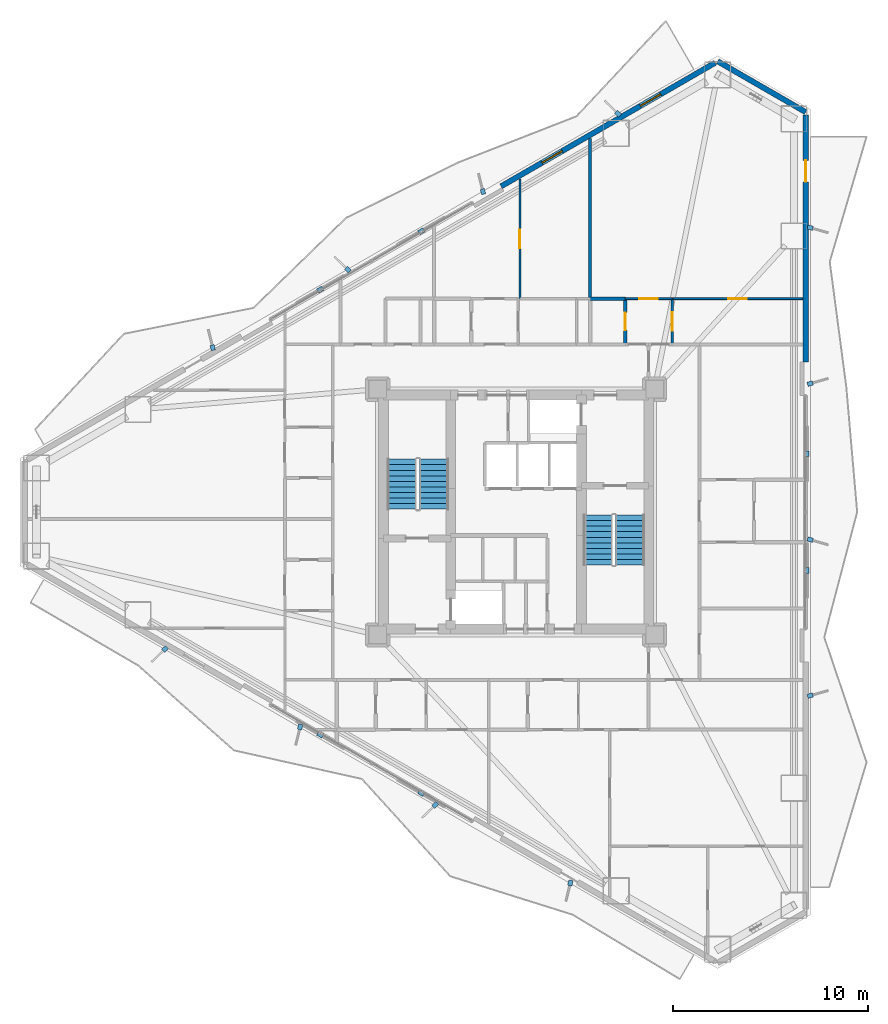
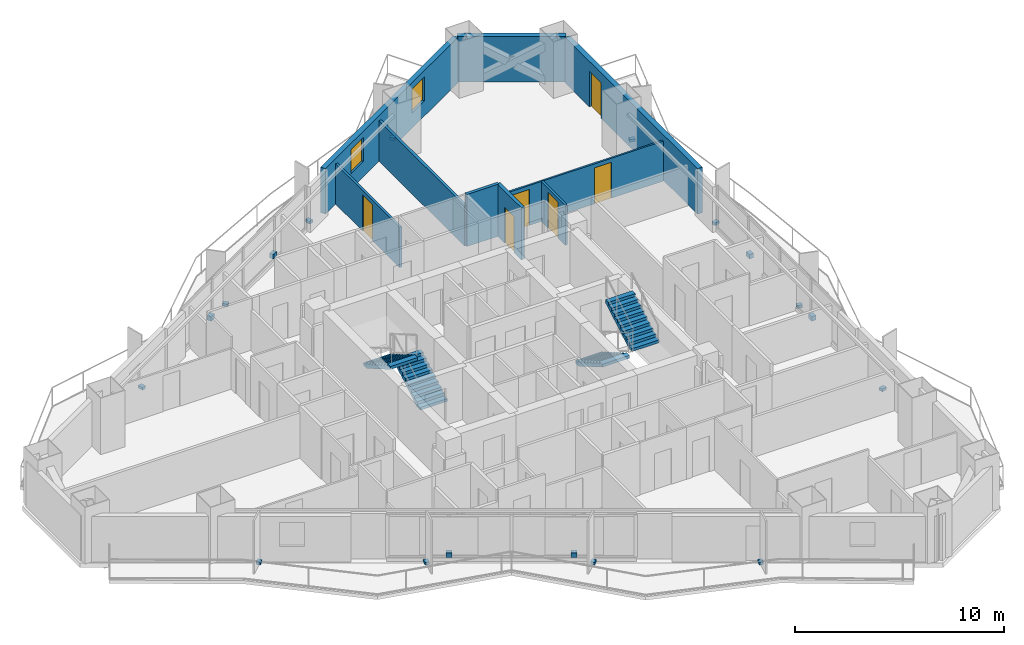
# One storey, part 16 of 18: 18 discrete accessories, 10 walls, 6 doors, 4 stair flights, 2 windows, 8 openings, 2 elements without a shape of their own.
"""IFC4 building model written with IfcOpenShell, lengths in metres."""

from ifc_helpers import new_model, si_unit, direction, frame, frame_2d, origin, origin_2d, place, context, subcontext, project, spatial, polyline, rectangle, outline, extrude, material, layer, layer_set, type_object, element, fill, aggregate, save


model = new_model("IFC4")

# Units and contexts
model_context = context("Model", 3, precision=1e-05, world=origin(), true_north=direction((0.0, 1.0)))
body_context = subcontext(model_context, "Body", "Model", "MODEL_VIEW")
ifc_project = project(units=[si_unit("LENGTHUNIT", "METRE"), si_unit("AREAUNIT", "SQUARE_METRE"), si_unit("VOLUMEUNIT", "CUBIC_METRE"), si_unit("PLANEANGLEUNIT", "RADIAN"), si_unit("MASSUNIT", "GRAM", prefix="KILO")], contexts=[model_context])

# Site, building, storey
site_placement = place(None, origin())
site = spatial("IfcSite", under=ifc_project, at=site_placement, CompositionType="ELEMENT")
building_placement = place(site_placement, origin())
building = spatial("IfcBuilding", under=site, at=building_placement, Name="Mersakhor Tower and Convention Hall", CompositionType="ELEMENT")
storey_placement = place(building_placement, frame((0.0, 0.0, 55.5)))
storey = spatial("IfcBuildingStorey", under=building, at=storey_placement, Name="L15", CompositionType="ELEMENT", Elevation=55.5)

# Wall
ifc_material_1 = material(Name="Precast concrete C45/55", Category="concrete")
ifc_layer_1 = layer(ifc_material_1, 0.27490234375)
ifc_layer_set_1 = layer_set([ifc_layer_1], Name="Precast concrete C45/55")
wall_type_1 = type_object("IfcWallType", Name="WL-EXT-275", PredefinedType="SOLIDWALL", material=ifc_layer_set_1)
wall_1_placement = place(storey_placement, frame((39.3369140625, 49.865234375, 0.0), z_axis=(0.0, 0.0, 1.0), x_axis=(0.866043601342, -0.499968479581, 0.0)))
element("IfcWall", 1, at=wall_1_placement, inside=storey, type_object=wall_type_1, Name="L15 Chamfer Braced Spandrel Wall C1", PredefinedType="SOLIDWALL", context=body_context, shape_type="SweptSolid", body=[
    extrude(rectangle(XDim=5.211181640625, YDim=0.27490234375, at=frame_2d((2.60546875, 0.0))), origin(), (0.0, 0.0, 1.0), 2.659912109375),
])

# Wall, openings, windows
wall_2_placement = place(storey_placement, frame((28.231689453125, 43.453857421875, 0.0), z_axis=(0.0, 0.0, 1.0), x_axis=(0.86603192154, 0.499988710747, 0.0)))
wall_2 = element("IfcWall", 2, at=wall_2_placement, inside=storey, type_object=wall_type_1, Name="L15 Exterior Facade Wall F1-B3", PredefinedType="SOLIDWALL", context=body_context, shape_type="SweptSolid", body=[
    extrude(rectangle(XDim=12.673095703125, YDim=0.27490234375, at=frame_2d((6.33642578125, 0.0))), origin(), (0.0, 0.0, 1.0), 2.659912109375),
])
opening_1_placement = place(wall_2_placement, frame((2.4169921875, 0.0, 0.89990234375)))
opening_1 = element("IfcOpeningElement", 3, at=opening_1_placement, cuts=wall_2, Name="Opening W-01", PredefinedType="OPENING", context=body_context, shape_type="SweptSolid", body=[
    extrude(rectangle(XDim=1.199951171875, YDim=1.39990234375, at=frame_2d((0.60009765625, 0.699951171875))), frame((0.0, 0.1474609375, 0.0), z_axis=(0.0, -1.0, 0.0), x_axis=(1.0, 0.0, 0.0)), (0.0, 0.0, 1.0), 0.294921875),
])
opening_2_placement = place(wall_2_placement, frame((8.2509765625, 0.0, 0.89990234375)))
opening_2 = element("IfcOpeningElement", 4, at=opening_2_placement, cuts=wall_2, Name="Opening W-01", PredefinedType="OPENING", context=body_context, shape_type="SweptSolid", body=[
    extrude(rectangle(XDim=1.199951171875, YDim=1.39990234375, at=frame_2d((0.60009765625, 0.699951171875))), frame((0.0, 0.1474609375, 0.0), z_axis=(0.0, -1.0, 0.0), x_axis=(1.0, 0.0, 0.0)), (0.0, 0.0, 1.0), 0.294921875),
])
ifc_material_2 = material(Name="Dark solar low-E glazed aluminium window", Category="aluminium")
window_type = type_object("IfcWindowType", Name="WN-RES-120x150", PartitioningType="SINGLE_PANEL", PredefinedType="WINDOW", material=ifc_material_2)
window_1_placement = place(opening_1_placement, origin())
window_1 = element("IfcWindow", 5, at=window_1_placement, inside=storey, type_object=window_type, Name="L15 Bedroom Facade Window F1-B3-1", OverallHeight=1.39990234375, OverallWidth=1.199951171875, PartitioningType="SINGLE_PANEL", PredefinedType="WINDOW", context=body_context, shape_type="SweptSolid", body=[
    extrude(rectangle(XDim=1.199951171875, YDim=1.39990234375, at=frame_2d((0.60009765625, 0.699951171875))), frame((0.0, 0.030029296875, 0.0), z_axis=(0.0, -1.0, 0.0), x_axis=(1.0, 0.0, 0.0)), (0.0, 0.0, 1.0), 0.06005859375),
])
fill(opening_1, window_1)
window_2_placement = place(opening_2_placement, origin())
window_2 = element("IfcWindow", 6, at=window_2_placement, inside=storey, type_object=window_type, Name="L15 Bedroom Facade Window F1-B3-2", OverallHeight=1.39990234375, OverallWidth=1.199951171875, PartitioningType="SINGLE_PANEL", PredefinedType="WINDOW", context=body_context, shape_type="SweptSolid", body=[
    extrude(rectangle(XDim=1.199951171875, YDim=1.39990234375, at=frame_2d((0.60009765625, 0.699951171875))), frame((0.0, 0.030029296875, 0.0), z_axis=(0.0, -1.0, 0.0), x_axis=(1.0, 0.0, 0.0)), (0.0, 0.0, 1.0), 0.06005859375),
])
fill(opening_2, window_2)

# Wall, opening, door
wall_3_placement = place(storey_placement, frame((43.85009765625, 47.109619140625, 0.0), z_axis=(0.0, 0.0, 1.0), x_axis=(0.0, -1.0, 0.0)))
wall_3 = element("IfcWall", 7, at=wall_3_placement, inside=storey, type_object=wall_type_1, Name="L15 Exterior Facade Wall F2-B1", PredefinedType="SOLIDWALL", context=body_context, shape_type="SweptSolid", body=[
    extrude(rectangle(XDim=12.673095703125, YDim=0.27490234375, at=frame_2d((6.33642578125, 0.0))), origin(), (0.0, 0.0, 1.0), 2.659912109375),
])
opening_3_placement = place(wall_3_placement, frame((2.324951171875, 0.0, 0.0)))
opening_3 = element("IfcOpeningElement", 8, at=opening_3_placement, cuts=wall_3, Name="Opening BD-02", PredefinedType="OPENING", context=body_context, shape_type="SweptSolid", body=[
    extrude(rectangle(XDim=1.10009765625, YDim=2.10009765625, at=frame_2d((0.550048828125, 1.050048828125))), frame((0.0, 0.1474609375, 0.0), z_axis=(0.0, -1.0, 0.0), x_axis=(1.0, 0.0, 0.0)), (0.0, 0.0, 1.0), 0.294921875),
])
ifc_material_3 = material(Name="Thermally broken dark aluminium and safety glass", Category="aluminium")
door_type_1 = type_object("IfcDoorType", Name="DR-BAL-110x210", OperationType="NOTDEFINED", PredefinedType="DOOR", material=ifc_material_3)
door_1_placement = place(opening_3_placement, origin())
door_1 = element("IfcDoor", 9, at=door_1_placement, inside=storey, type_object=door_type_1, Name="L15 Balcony Terrace Door F2-B1", OperationType="SINGLE_SWING_RIGHT", OverallHeight=2.10009765625, OverallWidth=1.10009765625, PredefinedType="DOOR", context=body_context, shape_type="SweptSolid", body=[
    extrude(rectangle(XDim=1.10009765625, YDim=2.10009765625, at=frame_2d((0.550048828125, 1.050048828125))), frame((0.0, 0.02490234375, 0.0), z_axis=(0.0, -1.0, 0.0), x_axis=(1.0, 0.0, 0.0)), (0.0, 0.0, 1.0), 0.050048828125),
])
fill(opening_3, door_1)

ifc_material_4 = material(Name="Moisture-resistant acoustic drywall studwork", Category="other")
ifc_layer_2 = layer(ifc_material_4, 0.175048828125)
ifc_layer_set_2 = layer_set([ifc_layer_2], Name="Moisture-resistant acoustic drywall studwork")
wall_type_2 = type_object("IfcWallType", Name="WL-PLM-175", PredefinedType="PLUMBINGWALL", material=ifc_layer_set_2)
wall_4_placement = place(storey_placement, frame((34.60009765625, 35.35009765625, 0.0), z_axis=(0.0, 0.0, 1.0), x_axis=(0.0, 1.0, 0.0)))
wall_4 = element("IfcWall", 10, at=wall_4_placement, inside=storey, type_object=wall_type_2, Name="L15 Interior Partition Wall P-076", PredefinedType="PLUMBINGWALL", context=body_context, shape_type="SweptSolid", body=[
    extrude(rectangle(XDim=2.349853515625, YDim=0.175048828125, at=frame_2d((1.1748046875, 0.0))), origin(), (0.0, 0.0, 1.0), 3.0400390625),
])
opening_4_placement = place(wall_4_placement, frame((0.72509765625, 0.0, 0.0)))
opening_4 = element("IfcOpeningElement", 11, at=opening_4_placement, cuts=wall_4, Name="Opening WD-01", PredefinedType="OPENING", context=body_context, shape_type="SweptSolid", body=[
    extrude(rectangle(XDim=0.89990234375, YDim=2.10009765625, at=frame_2d((0.449951171875, 1.050048828125))), frame((0.0, 0.097412109375, 0.0), z_axis=(0.0, -1.0, 0.0), x_axis=(1.0, 0.0, 0.0)), (0.0, 0.0, 1.0), 0.195068359375),
])
ifc_material_5 = material(Name="Solid-core hardwood leaf in painted steel frame", Category="steel")
door_type_2 = type_object("IfcDoorType", Name="DR-INT-WET-090x210", OperationType="NOTDEFINED", PredefinedType="DOOR", material=ifc_material_5)
door_2_placement = place(opening_4_placement, origin())
door_2 = element("IfcDoor", 12, at=door_2_placement, inside=storey, type_object=door_type_2, Name="L15 L15 Flat N3 Apartment Hall to L15 Flat N3 Bathroom Door", OperationType="SINGLE_SWING_LEFT", OverallHeight=2.10009765625, OverallWidth=0.89990234375, PredefinedType="DOOR", context=body_context, shape_type="SweptSolid", body=[
    extrude(rectangle(XDim=0.89990234375, YDim=2.10009765625, at=frame_2d((0.449951171875, 1.050048828125))), frame((0.0, 0.02490234375, 0.0), z_axis=(0.0, -1.0, 0.0), x_axis=(1.0, 0.0, 0.0)), (0.0, 0.0, 1.0), 0.050048828125),
])
fill(opening_4, door_2)

# Wall
wall_5_placement = place(storey_placement, frame((32.800048828125, 37.699951171875, 0.0), z_axis=(0.0, 0.0, 1.0), x_axis=(1.0, 0.0, 0.0)))
element("IfcWall", 13, at=wall_5_placement, inside=storey, type_object=wall_type_2, Name="L15 Interior Partition Wall P-099", PredefinedType="PLUMBINGWALL", context=body_context, shape_type="SweptSolid", body=[
    extrude(rectangle(XDim=1.800048828125, YDim=0.175048828125, at=frame_2d((0.89990234375, 0.0))), origin(), (0.0, 0.0, 1.0), 3.0400390625),
])

# Wall, opening, door
ifc_material_6 = material(Name="Lightweight gypsum partition", Category="other")
ifc_layer_3 = layer(ifc_material_6, 0.10009765625)
ifc_layer_set_3 = layer_set([ifc_layer_3], Name="Lightweight gypsum partition")
wall_type_3 = type_object("IfcWallType", Name="WL-PRT-100", PredefinedType="PARTITIONING", material=ifc_layer_set_3)
wall_6_placement = place(storey_placement, frame((34.60009765625, 37.699951171875, 0.0), z_axis=(0.0, 0.0, 1.0), x_axis=(1.0, 0.0, 0.0)))
wall_6 = element("IfcWall", 14, at=wall_6_placement, inside=storey, type_object=wall_type_3, Name="L15 Interior Partition Wall P-074", PredefinedType="PARTITIONING", context=body_context, shape_type="SweptSolid", body=[
    extrude(rectangle(XDim=2.39990234375, YDim=0.10009765625, at=frame_2d((1.199951171875, 0.0))), origin(), (0.0, 0.0, 1.0), 2.33740234375),
])
opening_5_placement = place(wall_6_placement, frame((0.72509765625, 0.0, 0.0)))
opening_5 = element("IfcOpeningElement", 15, at=opening_5_placement, cuts=wall_6, Name="Opening RD-01", PredefinedType="OPENING", context=body_context, shape_type="SweptSolid", body=[
    extrude(rectangle(XDim=0.949951171875, YDim=2.10009765625, at=frame_2d((0.47509765625, 1.050048828125))), frame((0.0, 0.06005859375, 0.0), z_axis=(0.0, -1.0, 0.0), x_axis=(1.0, 0.0, 0.0)), (0.0, 0.0, 1.0), 0.1201171875),
])
ifc_material_7 = material(Name="Solid-core hardwood leaf in painted steel frame", Category="steel")
door_type_3 = type_object("IfcDoorType", Name="DR-INT-RM-095x210", OperationType="NOTDEFINED", PredefinedType="DOOR", material=ifc_material_7)
door_3_placement = place(opening_5_placement, origin())
door_3 = element("IfcDoor", 16, at=door_3_placement, inside=storey, type_object=door_type_3, Name="L15 L15 Flat N3 Apartment Hall to L15 Flat N3 Studio Living and Sleeping Room Door", OperationType="SINGLE_SWING_LEFT", OverallHeight=2.10009765625, OverallWidth=0.949951171875, PredefinedType="DOOR", context=body_context, shape_type="SweptSolid", body=[
    extrude(rectangle(XDim=0.949951171875, YDim=2.10009765625, at=frame_2d((0.47509765625, 1.050048828125))), frame((0.0, 0.02490234375, 0.0), z_axis=(0.0, -1.0, 0.0), x_axis=(1.0, 0.0, 0.0)), (0.0, 0.0, 1.0), 0.050048828125),
])
fill(opening_5, door_3)

wall_7_placement = place(storey_placement, frame((37.0, 37.699951171875, 0.0), z_axis=(0.0, 0.0, 1.0), x_axis=(1.0, 0.0, 0.0)))
wall_7 = element("IfcWall", 17, at=wall_7_placement, inside=storey, type_object=wall_type_3, Name="L15 Interior Partition Wall P-102", PredefinedType="PARTITIONING", context=body_context, shape_type="SweptSolid", body=[
    extrude(rectangle(XDim=6.6884765625, YDim=0.10009765625, at=frame_2d((3.34423828125, 0.0))), origin(), (0.0, 0.0, 1.0), 2.33740234375),
])
opening_6_placement = place(wall_7_placement, frame((2.869140625, 0.0, 0.0)))
opening_6 = element("IfcOpeningElement", 18, at=opening_6_placement, cuts=wall_7, Name="Opening RD-01", PredefinedType="OPENING", context=body_context, shape_type="SweptSolid", body=[
    extrude(rectangle(XDim=0.949951171875, YDim=2.10009765625, at=frame_2d((0.47509765625, 1.050048828125))), frame((0.0, 0.06005859375, 0.0), z_axis=(0.0, -1.0, 0.0), x_axis=(1.0, 0.0, 0.0)), (0.0, 0.0, 1.0), 0.1201171875),
])
door_4_placement = place(opening_6_placement, origin())
door_4 = element("IfcDoor", 19, at=door_4_placement, inside=storey, type_object=door_type_3, Name="L15 L15 Flat N3 Kitchen to L15 Flat N3 Studio Living and Sleeping Room Door", OperationType="SINGLE_SWING_LEFT", OverallHeight=2.10009765625, OverallWidth=0.949951171875, PredefinedType="DOOR", context=body_context, shape_type="SweptSolid", body=[
    extrude(rectangle(XDim=0.949951171875, YDim=2.10009765625, at=frame_2d((0.47509765625, 1.050048828125))), frame((0.0, 0.02490234375, 0.0), z_axis=(0.0, -1.0, 0.0), x_axis=(1.0, 0.0, 0.0)), (0.0, 0.0, 1.0), 0.050048828125),
])
fill(opening_6, door_4)

ifc_material_8 = material(Name="Gypsum board acoustic partition", Category="other")
ifc_layer_4 = layer(ifc_material_8, 0.125)
ifc_layer_set_4 = layer_set([ifc_layer_4], Name="Gypsum board acoustic partition")
wall_type_4 = type_object("IfcWallType", Name="WL-PRT-125", PredefinedType="PARTITIONING", material=ifc_layer_set_4)
wall_8_placement = place(storey_placement, frame((37.0, 37.699951171875, 0.0), z_axis=(0.0, 0.0, 1.0), x_axis=(0.0, -1.0, 0.0)))
wall_8 = element("IfcWall", 20, at=wall_8_placement, inside=storey, type_object=wall_type_4, Name="L15 Interior Partition Wall P-075", PredefinedType="PARTITIONING", context=body_context, shape_type="SweptSolid", body=[
    extrude(rectangle(XDim=2.349853515625, YDim=0.125, at=frame_2d((1.1748046875, 0.0))), origin(), (0.0, 0.0, 1.0), 2.33740234375),
])
opening_7_placement = place(wall_8_placement, frame((0.699951171875, 0.0, 0.0)))
opening_7 = element("IfcOpeningElement", 21, at=opening_7_placement, cuts=wall_8, Name="Opening RD-01", PredefinedType="OPENING", context=body_context, shape_type="SweptSolid", body=[
    extrude(rectangle(XDim=0.949951171875, YDim=2.10009765625, at=frame_2d((0.47509765625, 1.050048828125))), frame((0.0, 0.072509765625, 0.0), z_axis=(0.0, -1.0, 0.0), x_axis=(1.0, 0.0, 0.0)), (0.0, 0.0, 1.0), 0.14501953125),
])
door_5_placement = place(opening_7_placement, origin())
door_5 = element("IfcDoor", 22, at=door_5_placement, inside=storey, type_object=door_type_3, Name="L15 L15 Flat N3 Apartment Hall to L15 Flat N3 Kitchen Door", OperationType="SINGLE_SWING_RIGHT", OverallHeight=2.10009765625, OverallWidth=0.949951171875, PredefinedType="DOOR", context=body_context, shape_type="SweptSolid", body=[
    extrude(rectangle(XDim=0.949951171875, YDim=2.10009765625, at=frame_2d((0.47509765625, 1.050048828125))), frame((0.0, 0.02490234375, 0.0), z_axis=(0.0, -1.0, 0.0), x_axis=(1.0, 0.0, 0.0)), (0.0, 0.0, 1.0), 0.050048828125),
])
fill(opening_7, door_5)

wall_9_placement = place(storey_placement, frame((29.199951171875, 43.826416015625, 0.0), z_axis=(0.0, 0.0, 1.0), x_axis=(0.0, -1.0, 0.0)))
wall_9 = element("IfcWall", 23, at=wall_9_placement, inside=storey, type_object=wall_type_4, Name="L15 Interior Partition Wall P-129", PredefinedType="PARTITIONING", context=body_context, shape_type="SweptSolid", body=[
    extrude(rectangle(XDim=6.12646484375, YDim=0.125, at=frame_2d((3.063232421875, 0.0))), origin(), (0.0, 0.0, 1.0), 2.364990234375),
])
opening_8_placement = place(wall_9_placement, frame((2.588134765625, 0.0, 0.0)))
opening_8 = element("IfcOpeningElement", 24, at=opening_8_placement, cuts=wall_9, Name="Opening RD-01", PredefinedType="OPENING", context=body_context, shape_type="SweptSolid", body=[
    extrude(rectangle(XDim=0.949951171875, YDim=2.10009765625, at=frame_2d((0.47509765625, 1.050048828125))), frame((0.0, 0.072509765625, 0.0), z_axis=(0.0, -1.0, 0.0), x_axis=(1.0, 0.0, 0.0)), (0.0, 0.0, 1.0), 0.14501953125),
])
door_6_placement = place(opening_8_placement, origin())
door_6 = element("IfcDoor", 25, at=door_6_placement, inside=storey, type_object=door_type_3, Name="L15 L15 Flat N2 Living and Dining Room to L15 Flat N2 Bedroom 1 Door", OperationType="SINGLE_SWING_RIGHT", OverallHeight=2.10009765625, OverallWidth=0.949951171875, PredefinedType="DOOR", context=body_context, shape_type="SweptSolid", body=[
    extrude(rectangle(XDim=0.949951171875, YDim=2.10009765625, at=frame_2d((0.47509765625, 1.050048828125))), frame((0.0, 0.02490234375, 0.0), z_axis=(0.0, -1.0, 0.0), x_axis=(1.0, 0.0, 0.0)), (0.0, 0.0, 1.0), 0.050048828125),
])
fill(opening_8, door_6)

# Wall
ifc_material_9 = material(Name="Fire-rated gypsum board stud partition", Category="other")
ifc_layer_5 = layer(ifc_material_9, 0.14990234375)
ifc_layer_set_5 = layer_set([ifc_layer_5], Name="Fire-rated gypsum board stud partition")
wall_type_5 = type_object("IfcWallType", Name="WL-PRT-150", PredefinedType="PARTITIONING", material=ifc_layer_set_5)
wall_10_placement = place(storey_placement, frame((32.800048828125, 45.90478515625, 0.0), z_axis=(0.0, 0.0, 1.0), x_axis=(0.0, -1.0, 0.0)))
element("IfcWall", 26, at=wall_10_placement, inside=storey, type_object=wall_type_5, Name="L15 Interior Partition Wall P-131", PredefinedType="PARTITIONING", context=body_context, shape_type="SweptSolid", body=[
    extrude(rectangle(XDim=8.204833984375, YDim=0.14990234375, at=frame_2d((4.1025390625, 0.0))), origin(), (0.0, 0.0, 1.0), 2.364990234375),
])

# Stair, stair flights
ifc_material_10 = material(Name="Concrete C45/55", Category="concrete")
stair_type = type_object("IfcStairType", Name="ST-TWR-20R", PredefinedType="HALF_TURN_STAIR", material=ifc_material_10)
stair_1_placement = place(storey_placement, origin())
stair_1 = element("IfcStair", 27, at=stair_1_placement, inside=storey, type_object=stair_type, Name="L15 Tower Protected Exit Stair ST-1", PredefinedType="HALF_TURN_STAIR")
ifc_material_11 = material(Name="Concrete C45/55", Category="concrete")
stair_flight_type = type_object("IfcStairFlightType", Name="SFL-TWR-20R", PredefinedType="STRAIGHT", material=ifc_material_11)
stair_flight_1_placement = place(storey_placement, frame((24.800048828125, 26.89990234375, 0.0), z_axis=(0.0, 0.0, 1.0), x_axis=(0.0, 1.0, 0.0)))
stair_flight_1 = element("IfcStairFlight", 28, at=stair_flight_1_placement, type_object=stair_flight_type, Name="ST-1 flight 1", NumberOfRisers=10, NumberOfTreads=9, PredefinedType="STRAIGHT", RiserHeight=0.165, TreadLength=0.285, context=body_context, shape_type="SweptSolid", body=[
    extrude(outline(polyline([(0.0, 0.0), (0.0, 0.1650390625), (0.284912109375, 0.1650390625), (0.284912109375, 0.330078125), (0.570068359375, 0.330078125), (0.570068359375, 0.4951171875), (0.85498046875, 0.4951171875), (0.85498046875, 0.659912109375), (1.139892578125, 0.659912109375), (1.139892578125, 0.824951171875), (1.425048828125, 0.824951171875), (1.425048828125, 0.989990234375), (1.7099609375, 0.989990234375), (1.7099609375, 1.155029296875), (1.9951171875, 1.155029296875), (1.9951171875, 1.320068359375), (2.280029296875, 1.320068359375), (2.280029296875, 1.485107421875), (2.56494140625, 1.485107421875), (2.56494140625, 1.64990234375), (2.56494140625, 1.311767578125), (0.299072265625, 0.0), (0.0, 0.0)])), frame((0.0, 0.75, 0.0), z_axis=(0.0, -1.0, 0.0), x_axis=(1.0, 0.0, 0.0)), (0.0, 0.0, 1.0), 1.5),
])
stair_flight_2_placement = place(storey_placement, frame((23.14990234375, 29.465087890625, 1.64990234375), z_axis=(0.0, 0.0, 1.0), x_axis=(0.0, -1.0, 0.0)))
stair_flight_2 = element("IfcStairFlight", 29, at=stair_flight_2_placement, type_object=stair_flight_type, Name="ST-1 flight 2", NumberOfRisers=10, NumberOfTreads=9, PredefinedType="STRAIGHT", RiserHeight=0.165, TreadLength=0.285, context=body_context, shape_type="SweptSolid", body=[
    extrude(outline(polyline([(0.0, 0.0), (0.0, 0.1650390625), (0.284912109375, 0.1650390625), (0.284912109375, 0.330078125), (0.570068359375, 0.330078125), (0.570068359375, 0.4951171875), (0.85498046875, 0.4951171875), (0.85498046875, 0.659912109375), (1.139892578125, 0.659912109375), (1.139892578125, 0.824951171875), (1.425048828125, 0.824951171875), (1.425048828125, 0.989990234375), (1.7099609375, 0.989990234375), (1.7099609375, 1.155029296875), (1.9951171875, 1.155029296875), (1.9951171875, 1.320068359375), (2.280029296875, 1.320068359375), (2.280029296875, 1.485107421875), (2.56494140625, 1.485107421875), (2.56494140625, 1.64990234375), (2.56494140625, 1.311767578125), (0.299072265625, 0.0), (0.0, 0.0)])), frame((0.0, 0.75, 0.0), z_axis=(0.0, -1.0, 0.0), x_axis=(1.0, 0.0, 0.0)), (0.0, 0.0, 1.0), 1.5),
])
aggregate(stair_1, [stair_flight_1, stair_flight_2])

stair_2_placement = place(storey_placement, origin())
stair_2 = element("IfcStair", 30, at=stair_2_placement, inside=storey, type_object=stair_type, Name="L15 Tower Protected Exit Stair ST-2", PredefinedType="HALF_TURN_STAIR")
stair_flight_3_placement = place(storey_placement, frame((33.199951171875, 26.60009765625, 0.0), z_axis=(0.0, 0.0, 1.0), x_axis=(0.0, -1.0, 0.0)))
stair_flight_3 = element("IfcStairFlight", 31, at=stair_flight_3_placement, type_object=stair_flight_type, Name="ST-2 flight 1", NumberOfRisers=10, NumberOfTreads=9, PredefinedType="STRAIGHT", RiserHeight=0.165, TreadLength=0.285, context=body_context, shape_type="SweptSolid", body=[
    extrude(outline(polyline([(0.0, 0.0), (0.0, 0.1650390625), (0.284912109375, 0.1650390625), (0.284912109375, 0.330078125), (0.570068359375, 0.330078125), (0.570068359375, 0.4951171875), (0.85498046875, 0.4951171875), (0.85498046875, 0.659912109375), (1.139892578125, 0.659912109375), (1.139892578125, 0.824951171875), (1.425048828125, 0.824951171875), (1.425048828125, 0.989990234375), (1.7099609375, 0.989990234375), (1.7099609375, 1.155029296875), (1.9951171875, 1.155029296875), (1.9951171875, 1.320068359375), (2.280029296875, 1.320068359375), (2.280029296875, 1.485107421875), (2.56494140625, 1.485107421875), (2.56494140625, 1.64990234375), (2.56494140625, 1.311767578125), (0.299072265625, 0.0), (0.0, 0.0)])), frame((0.0, 0.75, 0.0), z_axis=(0.0, -1.0, 0.0), x_axis=(1.0, 0.0, 0.0)), (0.0, 0.0, 1.0), 1.5),
])
stair_flight_4_placement = place(storey_placement, frame((34.85009765625, 24.034912109375, 1.64990234375), z_axis=(0.0, 0.0, 1.0), x_axis=(0.0, 1.0, 0.0)))
stair_flight_4 = element("IfcStairFlight", 32, at=stair_flight_4_placement, type_object=stair_flight_type, Name="ST-2 flight 2", NumberOfRisers=10, NumberOfTreads=9, PredefinedType="STRAIGHT", RiserHeight=0.165, TreadLength=0.285, context=body_context, shape_type="SweptSolid", body=[
    extrude(outline(polyline([(0.0, 0.0), (0.0, 0.1650390625), (0.284912109375, 0.1650390625), (0.284912109375, 0.330078125), (0.570068359375, 0.330078125), (0.570068359375, 0.4951171875), (0.85498046875, 0.4951171875), (0.85498046875, 0.659912109375), (1.139892578125, 0.659912109375), (1.139892578125, 0.824951171875), (1.425048828125, 0.824951171875), (1.425048828125, 0.989990234375), (1.7099609375, 0.989990234375), (1.7099609375, 1.155029296875), (1.9951171875, 1.155029296875), (1.9951171875, 1.320068359375), (2.280029296875, 1.320068359375), (2.280029296875, 1.485107421875), (2.56494140625, 1.485107421875), (2.56494140625, 1.64990234375), (2.56494140625, 1.311767578125), (0.299072265625, 0.0), (0.0, 0.0)])), frame((0.0, 0.75, 0.0), z_axis=(0.0, -1.0, 0.0), x_axis=(1.0, 0.0, 0.0)), (0.0, 0.0, 1.0), 1.5),
])
aggregate(stair_2, [stair_flight_3, stair_flight_4])

# Discrete accessories
ifc_material_12 = material(Name="Galvanised steel bracket", Category="steel")
ifc_layer_6 = layer(ifc_material_12, 0.02001953125)
ifc_layer_set_6 = layer_set([ifc_layer_6], Name="Galvanised steel bracket")
discrete_accessory_type = type_object("IfcDiscreteAccessoryType", Name="ACC-BRK-STL", PredefinedType="BRACKET", material=ifc_layer_set_6)
for number, where, z_axis, x_axis, name in (
    (33, (18.957763671875, 38.156982421875, 0.2900390625), (0.0, 0.0, 1.0), (0.866025403784, 0.5, 0.0), "L15 Solar Screen Outrigger Bracket BRK-1-1"),
    (34, (24.142333984375, 41.150390625, 0.2900390625), (0.0, 0.0, 1.0), (0.866025403784, 0.5, 0.0), "L15 Solar Screen Outrigger Bracket BRK-1-2"),
):
    element("IfcDiscreteAccessory", number, at=place(storey_placement, frame(where, z_axis=z_axis, x_axis=x_axis)), inside=storey, type_object=discrete_accessory_type, Name=name, PredefinedType="BRACKET", context=body_context, shape_type="SweptSolid", body=[
        extrude(rectangle(XDim=0.300048828125, YDim=0.239990234375, at=origin_2d()), origin(), (0.0, 0.0, 1.0), 0.260009765625),
    ])
for number, where, z_axis, x_axis, name in (
    (35, (13.44580078125, 35.1826171875, -0.02001953125), (0.0, 0.0, 1.0), (-0.2419218956, 0.970295726276, 0.0), "L15 Facade Fin Base Cleat Bracket FBRK-1-1"),
    (36, (20.3740234375, 39.1826171875, -0.02001953125), (0.0, 0.0, 1.0), (-0.719339800339, 0.694658370459, 0.0), "L15 Facade Fin Base Cleat Bracket FBRK-1-2"),
    (37, (27.30224609375, 43.1826171875, -0.02001953125), (0.0, 0.0, 1.0), (-0.2419218956, 0.970295726276, 0.0), "L15 Facade Fin Base Cleat Bracket FBRK-1-3"),
    (38, (34.23046875, 47.1826171875, -0.02001953125), (0.0, 0.0, 1.0), (-0.719339800339, 0.694658370459, 0.0), "L15 Facade Fin Base Cleat Bracket FBRK-1-4"),
):
    element("IfcDiscreteAccessory", number, at=place(storey_placement, frame(where, z_axis=z_axis, x_axis=x_axis)), inside=storey, type_object=discrete_accessory_type, Name=name, PredefinedType="BRACKET", context=body_context, shape_type="SweptSolid", body=[
        extrude(rectangle(XDim=0.280029296875, YDim=0.219970703125, at=origin_2d()), origin(), (0.0, 0.0, 1.0), 0.159912109375),
    ])
for number, where, z_axis, x_axis, name in (
    (39, (43.89990234375, 29.743408203125, 0.2900390625), (0.0, 0.0, 1.0), (0.0, -1.0, 0.0), "L15 Solar Screen Outrigger Bracket BRK-2-1"),
    (40, (43.89990234375, 23.756591796875, 0.2900390625), (0.0, 0.0, 1.0), (0.0, -1.0, 0.0), "L15 Solar Screen Outrigger Bracket BRK-2-2"),
):
    element("IfcDiscreteAccessory", number, at=place(storey_placement, frame(where, z_axis=z_axis, x_axis=x_axis)), inside=storey, type_object=discrete_accessory_type, Name=name, PredefinedType="BRACKET", context=body_context, shape_type="SweptSolid", body=[
        extrude(rectangle(XDim=0.300048828125, YDim=0.239990234375, at=origin_2d()), origin(), (0.0, 0.0, 1.0), 0.260009765625),
    ])
for number, where, z_axis, x_axis, name in (
    (41, (44.080078125, 41.33740234375, -0.02001953125), (0.0, 0.0, 1.0), (0.961261695938, -0.275637355817, 0.0), "L15 Facade Fin Base Cleat Bracket FBRK-2-1"),
    (42, (44.080078125, 33.33740234375, -0.02001953125), (0.0, 0.0, 1.0), (0.961261695938, 0.275637355817, 0.0), "L15 Facade Fin Base Cleat Bracket FBRK-2-2"),
    (43, (44.080078125, 25.33740234375, -0.02001953125), (0.0, 0.0, 1.0), (0.961261695938, -0.275637355817, 0.0), "L15 Facade Fin Base Cleat Bracket FBRK-2-3"),
    (44, (44.080078125, 17.33740234375, -0.02001953125), (0.0, 0.0, 1.0), (0.961261695938, 0.275637355817, 0.0), "L15 Facade Fin Base Cleat Bracket FBRK-2-4"),
):
    element("IfcDiscreteAccessory", number, at=place(storey_placement, frame(where, z_axis=z_axis, x_axis=x_axis)), inside=storey, type_object=discrete_accessory_type, Name=name, PredefinedType="BRACKET", context=body_context, shape_type="SweptSolid", body=[
        extrude(rectangle(XDim=0.280029296875, YDim=0.219970703125, at=origin_2d()), origin(), (0.0, 0.0, 1.0), 0.159912109375),
    ])
for number, where, z_axis, x_axis, name in (
    (45, (24.14208984375, 12.349609375, 0.2900390625), (0.0, 0.0, 1.0), (-0.866025403784, 0.5, 0.0), "L15 Solar Screen Outrigger Bracket BRK-3-1"),
    (46, (18.957763671875, 15.3427734375, 0.2900390625), (0.0, 0.0, 1.0), (-0.866025403784, 0.5, 0.0), "L15 Solar Screen Outrigger Bracket BRK-3-2"),
):
    element("IfcDiscreteAccessory", number, at=place(storey_placement, frame(where, z_axis=z_axis, x_axis=x_axis)), inside=storey, type_object=discrete_accessory_type, Name=name, PredefinedType="BRACKET", context=body_context, shape_type="SweptSolid", body=[
        extrude(rectangle(XDim=0.300048828125, YDim=0.239990234375, at=origin_2d()), origin(), (0.0, 0.0, 1.0), 0.260009765625),
    ])
for number, where, z_axis, x_axis, name in (
    (47, (31.78369140625, 7.72998046875, -0.02001953125), (0.0, 0.0, 1.0), (-0.2419218956, -0.970295726276, 0.0), "L15 Facade Fin Base Cleat Bracket FBRK-3-1"),
    (48, (24.85546875, 11.72998046875, -0.02001953125), (0.0, 0.0, 1.0), (-0.719339800339, -0.694658370459, 0.0), "L15 Facade Fin Base Cleat Bracket FBRK-3-2"),
    (49, (17.92724609375, 15.72998046875, -0.02001953125), (0.0, 0.0, 1.0), (-0.2419218956, -0.970295726276, 0.0), "L15 Facade Fin Base Cleat Bracket FBRK-3-3"),
    (50, (10.9990234375, 19.72998046875, -0.02001953125), (0.0, 0.0, 1.0), (-0.719339800339, -0.694658370459, 0.0), "L15 Facade Fin Base Cleat Bracket FBRK-3-4"),
):
    element("IfcDiscreteAccessory", number, at=place(storey_placement, frame(where, z_axis=z_axis, x_axis=x_axis)), inside=storey, type_object=discrete_accessory_type, Name=name, PredefinedType="BRACKET", context=body_context, shape_type="SweptSolid", body=[
        extrude(rectangle(XDim=0.280029296875, YDim=0.219970703125, at=origin_2d()), origin(), (0.0, 0.0, 1.0), 0.159912109375),
    ])

save(model, "model.ifc")
